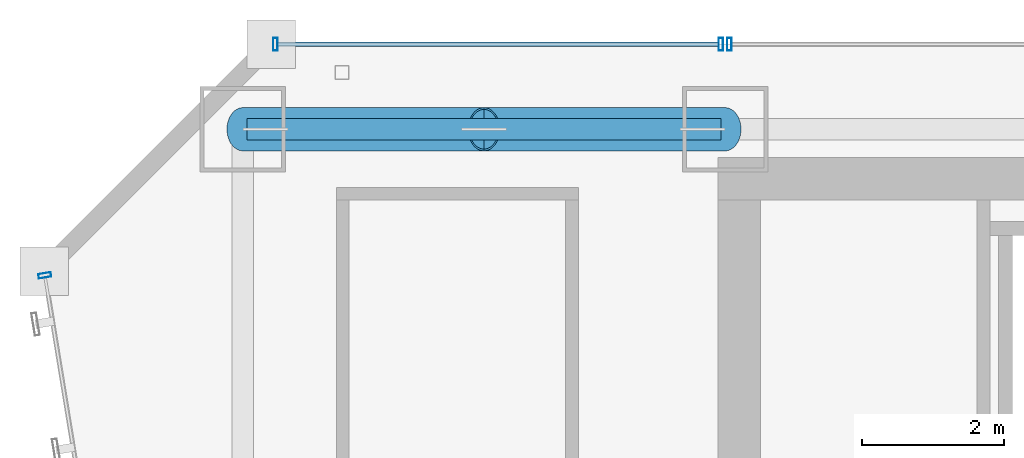
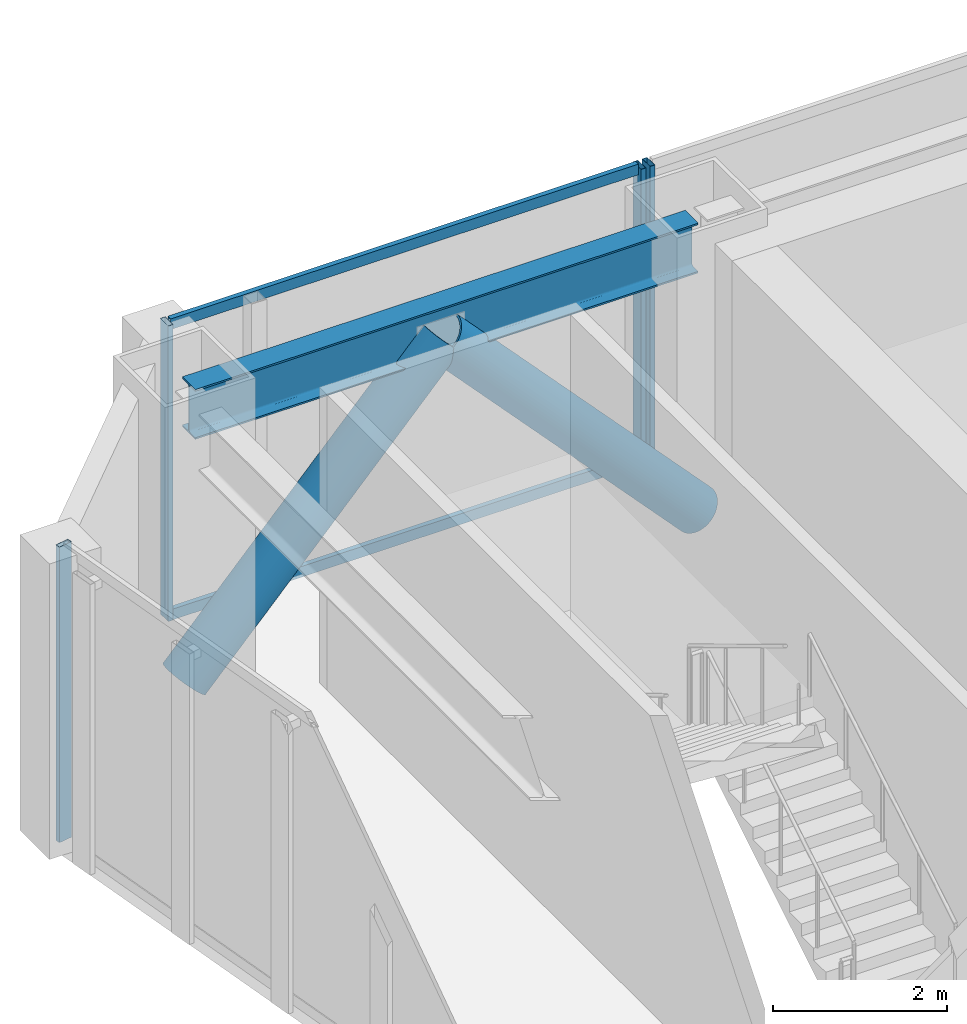
# One storey, part 26 of 47: 8 members, 1 beam, 3 elements without a shape of their own.
"""IFC4 building model written with IfcOpenShell, lengths in metres."""

from ifc_helpers import new_model, si_unit, direction, frame, origin, origin_2d, place, context, subcontext, project, spatial, hollow_rectangle, hollow_circle, i_section, extrude, material, material_profile, profile_set, type_object, element, aggregate, save


model = new_model("IFC4")

# Units and contexts
model_context = context("Model", 3, precision=1e-05, world=origin(), true_north=direction((0.0, 1.0)))
body_context = subcontext(model_context, "Body", "Model", "MODEL_VIEW")
ifc_project = project(units=[si_unit("LENGTHUNIT", "METRE"), si_unit("AREAUNIT", "SQUARE_METRE"), si_unit("VOLUMEUNIT", "CUBIC_METRE"), si_unit("PLANEANGLEUNIT", "RADIAN"), si_unit("MASSUNIT", "GRAM", prefix="KILO")], contexts=[model_context])

# Site, building, storey
site_placement = place(None, origin())
site = spatial("IfcSite", under=ifc_project, at=site_placement, CompositionType="ELEMENT")
building_placement = place(site_placement, origin())
building = spatial("IfcBuilding", under=site, at=building_placement, Name="Saevonmaru Cultural Tower", CompositionType="ELEMENT")
storey_placement = place(building_placement, frame((0.0, 0.0, 69.199951171875)))
storey = spatial("IfcBuildingStorey", under=building, at=storey_placement, Name="L14", CompositionType="ELEMENT", Elevation=69.199951171875)

# Beam
ifc_material_1 = material(Name="Steel SM355", Category="steel")
ifc_material_profile_1 = material_profile(ifc_material_1, i_section(OverallWidth=0.300048828125, OverallDepth=0.699951171875, WebThickness=0.012939453125, FlangeThickness=0.02392578125, FilletRadius=0.02587890625, at=origin_2d()), Name="H-700x300x13x24")
ifc_profile_set_1 = profile_set([ifc_material_profile_1], Name="Steel SM355")
beam_type = type_object("IfcBeamType", Name="BM-SP-H700", PredefinedType="SPANDREL", material=ifc_profile_set_1)
beam_placement = place(storey_placement, frame((6.860107421875, 54.800048828125, 3.800048828125), z_axis=(1.0, 0.0, 0.0), x_axis=(0.0, 1.0, 0.0)))
element("IfcBeam", 1, at=beam_placement, inside=storey, type_object=beam_type, Name="L14 North Spine Girder 1", PredefinedType="SPANDREL", context=body_context, shape_type="SweptSolid", body=[
    extrude(i_section(OverallWidth=0.300048828125, OverallDepth=0.699951171875, WebThickness=0.012939453125, FlangeThickness=0.02392578125, FilletRadius=0.02587890625, at=origin_2d()), origin(), (0.0, 0.0, 1.0), 6.679931640625),
])

# Members
ifc_material_2 = material(Name="Steel HSA600 (600 MPa)", Category="steel")
ifc_material_profile_2 = material_profile(ifc_material_2, hollow_circle(Radius=0.3046875, WallThickness=0.02490234375, at=origin_2d()), Name="CHS-609.6x25")
ifc_profile_set_2 = profile_set([ifc_material_profile_2], Name="Steel HSA600 (600 MPa)")
member_type_1 = type_object("IfcMemberType", Name="MB-PBR-CHS610", PredefinedType="BRACE", material=ifc_profile_set_2)
member_1_placement = place(storey_placement, frame((6.800048828125, 54.800048828125, 0.02001953125), z_axis=(0.681578526789, 0.0, 0.731744977311), x_axis=(0.0, 1.0, 0.0)))
element("IfcMember", 2, at=member_1_placement, inside=storey, type_object=member_type_1, Name="L14 Perimeter Braced-Tube Diagonal WN1", PredefinedType="BRACE", context=body_context, shape_type="SweptSolid", body=[
    extrude(hollow_circle(Radius=0.3046875, WallThickness=0.02490234375, at=origin_2d()), origin(), (0.0, 0.0, 1.0), 4.98828125),
])
member_2_placement = place(storey_placement, frame((13.60009765625, 54.800048828125, 0.02001953125), z_axis=(-0.681604731977, 0.0, 0.731720567803), x_axis=(0.0, -1.0, 0.0)))
element("IfcMember", 3, at=member_2_placement, inside=storey, type_object=member_type_1, Name="L14 Perimeter Braced-Tube Diagonal WN2", PredefinedType="BRACE", context=body_context, shape_type="SweptSolid", body=[
    extrude(hollow_circle(Radius=0.3046875, WallThickness=0.02490234375, at=origin_2d()), origin(), (0.0, 0.0, 1.0), 4.988525390625),
])

# Curtain wall, member
ifc_material_3 = material(Name="Satin Bronze Anodised Aluminium", Category="aluminium")
curtain_wall_type = type_object("IfcCurtainWallType", Name="CW-TYP-A", PredefinedType="NOTDEFINED", material=ifc_material_3)
curtain_wall_1_placement = place(storey_placement, origin())
curtain_wall_1 = element("IfcCurtainWall", 4, at=curtain_wall_1_placement, inside=storey, type_object=curtain_wall_type, Name="L14 North Spine Unitised Curtain Wall E10B", PredefinedType="NOTDEFINED")
ifc_material_profile_3 = material_profile(ifc_material_3, hollow_rectangle(XDim=0.06494140625, YDim=0.179931640625, WallThickness=0.00390625, at=origin_2d()), Name="ALU-MULL-180x65x4")
ifc_profile_set_3 = profile_set([ifc_material_profile_3], Name="Satin Bronze Anodised Aluminium")
member_type_2 = type_object("IfcMemberType", Name="ML-CW-180x65", PredefinedType="MULLION", material=ifc_profile_set_3)
member_3_placement = place(storey_placement, frame((13.659912109375, 56.0, 0.0), z_axis=(0.0, 0.0, 1.0), x_axis=(-1.0, 0.0, 0.0)))
member_3 = element("IfcMember", 5, at=member_3_placement, type_object=member_type_2, Name="CW-TW-L14-E10B mullion 4", PredefinedType="MULLION", context=body_context, shape_type="SweptSolid", body=[
    extrude(hollow_rectangle(XDim=0.06494140625, YDim=0.179931640625, WallThickness=0.00390625, at=origin_2d()), origin(), (0.0, 0.0, 1.0), 4.150146484375),
])
aggregate(curtain_wall_1, [member_3])

# Curtain wall, members
curtain_wall_2_placement = place(storey_placement, origin())
curtain_wall_2 = element("IfcCurtainWall", 6, at=curtain_wall_2_placement, inside=storey, type_object=curtain_wall_type, Name="L14 West Braced Bay Spandrel Curtain Wall E10C", PredefinedType="NOTDEFINED")
member_4_placement = place(storey_placement, frame((13.5400390625, 56.0, 0.0), z_axis=(0.0, 0.0, 1.0), x_axis=(-1.0, 0.0, 0.0)))
member_4 = element("IfcMember", 7, at=member_4_placement, type_object=member_type_2, Name="CW-TW-L14-E10C mullion 1", PredefinedType="MULLION", context=body_context, shape_type="SweptSolid", body=[
    extrude(hollow_rectangle(XDim=0.06494140625, YDim=0.179931640625, WallThickness=0.00390625, at=origin_2d()), origin(), (0.0, 0.0, 1.0), 4.150146484375),
])
member_5_placement = place(storey_placement, frame((7.260009765625, 56.0, 0.0), z_axis=(0.0, 0.0, 1.0), x_axis=(-1.0, 0.0, 0.0)))
member_5 = element("IfcMember", 8, at=member_5_placement, type_object=member_type_2, Name="CW-TW-L14-E10C mullion 2", PredefinedType="MULLION", context=body_context, shape_type="SweptSolid", body=[
    extrude(hollow_rectangle(XDim=0.06494140625, YDim=0.179931640625, WallThickness=0.00390625, at=origin_2d()), origin(), (0.0, 0.0, 1.0), 4.150146484375),
])

# Curtain wall, member
curtain_wall_3_placement = place(storey_placement, origin())
curtain_wall_3 = element("IfcCurtainWall", 9, at=curtain_wall_3_placement, inside=storey, type_object=curtain_wall_type, Name="L14 Unitised Curtain Wall E12", PredefinedType="NOTDEFINED")
member_6_placement = place(storey_placement, frame((4.009765625, 52.74072265625, 0.0), z_axis=(0.0, 0.0, 1.0), x_axis=(0.161708868641, -0.986838508472, 0.0)))
member_6 = element("IfcMember", 10, at=member_6_placement, type_object=member_type_2, Name="CW-TW-L14-E12 mullion 1", PredefinedType="MULLION", context=body_context, shape_type="SweptSolid", body=[
    extrude(hollow_rectangle(XDim=0.06494140625, YDim=0.179931640625, WallThickness=0.00390625, at=origin_2d()), origin(), (0.0, 0.0, 1.0), 4.150146484375),
])
aggregate(curtain_wall_3, [member_6])

# Member
ifc_material_profile_4 = material_profile(ifc_material_3, hollow_rectangle(XDim=0.06494140625, YDim=0.14990234375, WallThickness=0.00390625, at=origin_2d()), Name="ALU-TRAN-150x65x4")
ifc_profile_set_4 = profile_set([ifc_material_profile_4], Name="Satin Bronze Anodised Aluminium")
member_type_3 = type_object("IfcMemberType", Name="TR-CW-150x65", PredefinedType="USERDEFINED", material=ifc_profile_set_4)
member_7_placement = place(storey_placement, frame((13.507568359375, 56.0, 0.032470703125), z_axis=(-1.0, 0.0, 0.0), x_axis=(0.0, -1.0, 0.0)))
member_7 = element("IfcMember", 11, at=member_7_placement, type_object=member_type_3, Name="CW-TW-L14-E10C transom 1.1", ObjectType="TRANSOM", PredefinedType="USERDEFINED", context=body_context, shape_type="SweptSolid", body=[
    extrude(hollow_rectangle(XDim=0.06494140625, YDim=0.14990234375, WallThickness=0.00390625, at=origin_2d()), origin(), (0.0, 0.0, 1.0), 6.215087890625),
])

member_8_placement = place(storey_placement, frame((13.507568359375, 56.0, 4.117431640625), z_axis=(-1.0, 0.0, 0.0), x_axis=(0.0, -1.0, 0.0)))
member_8 = element("IfcMember", 12, at=member_8_placement, type_object=member_type_3, Name="CW-TW-L14-E10C transom 1.2", ObjectType="TRANSOM", PredefinedType="USERDEFINED", context=body_context, shape_type="SweptSolid", body=[
    extrude(hollow_rectangle(XDim=0.06494140625, YDim=0.14990234375, WallThickness=0.00390625, at=origin_2d()), origin(), (0.0, 0.0, 1.0), 6.215087890625),
])

aggregate(curtain_wall_2, [member_4, member_5, member_7, member_8])

save(model, "model.ifc")
